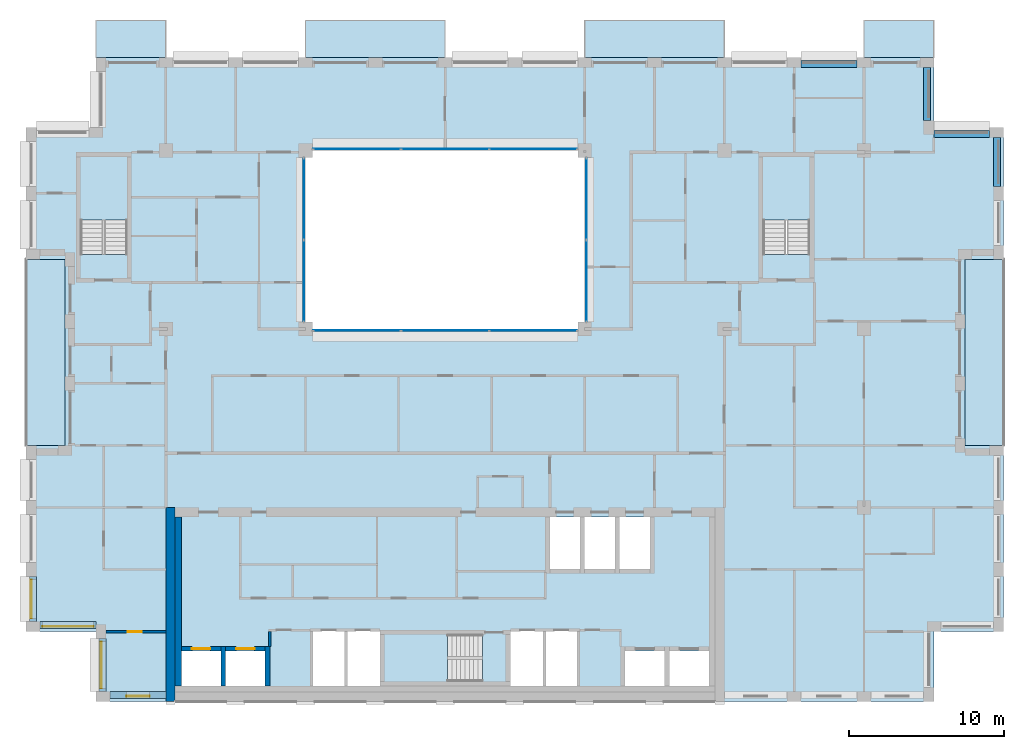
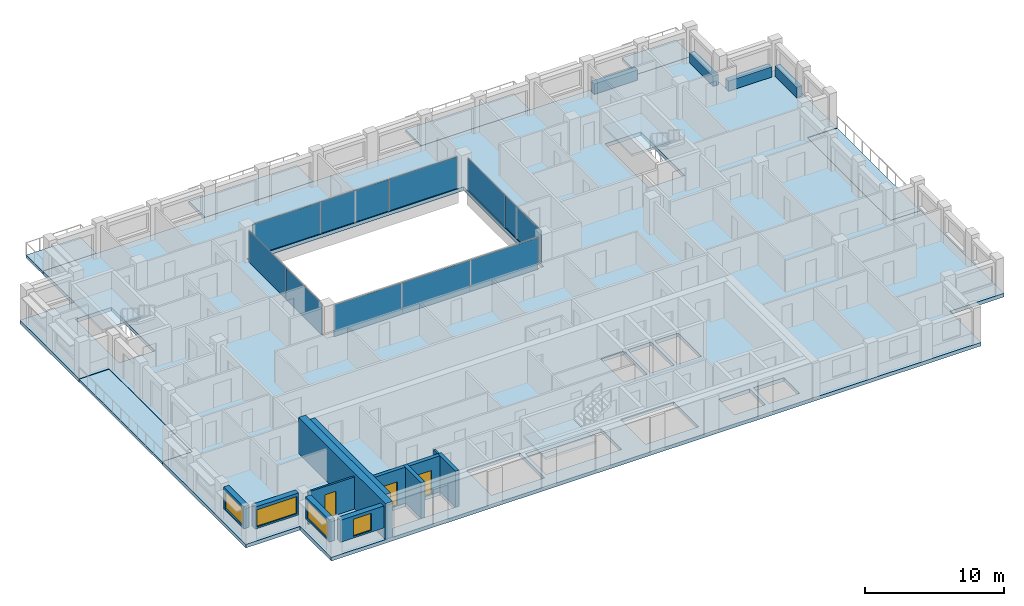
# One storey, part 7 of 16: 12 walls, 10 plates, 10 slabs, 4 beams, 4 windows, 3 doors, 7 openings, 7 elements without a shape of their own.
"""IFC4 building model written with IfcOpenShell, lengths in metres."""

import ifcopenshell
import ifcopenshell.guid

model = None  # the IFC model being written
_history = None  # IfcOwnerHistory: only IFC2X3 demands one
_inside = {}  # id of a spatial element -> (the spatial element, [elements in it])
_under = {}  # id of a project, library or spatial element -> (it, [spatial elements below it])
_declared = {}  # id of a project -> (the project, [libraries it declares])
_typed = {}  # id of a type object -> (the type object, [elements of that type])
_made_of = {}  # id of a material, layer set ... -> (it, [elements and type objects made of it])


def new_model(schema):
    """Start an empty IFC model of exactly this schema.

    Asked for "IFC4X3", IfcOpenShell would pick the latest addendum, in which some entities
    have other attributes; the version numbers below select the first issue.
    IFC2X3 requires an IfcOwnerHistory on every rooted entity: one is made here for all.
    """
    global model, _history
    if schema == "IFC4X3":
        model = ifcopenshell.file(schema_version=(4, 3, 0, 0))
    else:
        model = ifcopenshell.file(schema=schema)
    _inside.clear()
    _under.clear()
    _declared.clear()
    _typed.clear()
    _made_of.clear()
    _history = None
    if model.schema == "IFC2X3":
        org = make("IfcOrganization", Name="unknown")
        user = make(
            "IfcPersonAndOrganization",
            ThePerson=make("IfcPerson", FamilyName="unknown"),
            TheOrganization=org,
        )
        app = make(
            "IfcApplication",
            ApplicationDeveloper=org,
            Version="unknown",
            ApplicationFullName="unknown",
            ApplicationIdentifier="unknown",
        )
        _history = make(
            "IfcOwnerHistory",
            OwningUser=user,
            OwningApplication=app,
            ChangeAction="ADDED",
            CreationDate=0,
        )
    return model


def make(cls, **values):
    """One entity of the class cls with the attributes given. An attribute that is None is left unset."""
    return model.create_entity(
        cls, **{name: value for name, value in values.items() if value is not None}
    )


def rooted(cls, **values):
    """An entity with a GlobalId (a new one), such as an element, a storey or a relation."""
    return make(cls, GlobalId=ifcopenshell.guid.new(), OwnerHistory=_history, **values)


def si_unit(unit_type, name, prefix=None):
    """IfcSIUnit, for example si_unit("LENGTHUNIT", "METRE", prefix="MILLI")."""
    return make("IfcSIUnit", UnitType=unit_type, Prefix=prefix, Name=name)


def assignment(units):
    """IfcUnitAssignment: the units of a project."""
    return None if units is None else make("IfcUnitAssignment", Units=units)


def point(xyz):
    """IfcCartesianPoint."""
    return None if xyz is None else make("IfcCartesianPoint", Coordinates=xyz)


def direction(xyz):
    """IfcDirection."""
    return None if xyz is None else make("IfcDirection", DirectionRatios=xyz)


def frame(location, z_axis=None, x_axis=None):
    """IfcAxis2Placement3D, a coordinate frame: its origin and axes. An axis left out is left unset."""
    return make(
        "IfcAxis2Placement3D",
        Location=point(location),
        Axis=direction(z_axis),
        RefDirection=direction(x_axis),
    )


def frame_2d(location, x_axis=None):
    """IfcAxis2Placement2D, a coordinate frame in the plane: its origin and x axis."""
    return make(
        "IfcAxis2Placement2D", Location=point(location), RefDirection=direction(x_axis)
    )


def origin():
    """The frame at (0, 0, 0) with its axes left unset."""
    return frame((0.0, 0.0, 0.0))


def origin_2d():
    """The frame at (0, 0) in the plane with its x axis left unset."""
    return frame_2d((0.0, 0.0))


def place(relative_to, where):
    """IfcLocalPlacement: puts the frame where relative to a parent placement (None: the world)."""
    return make(
        "IfcLocalPlacement", PlacementRelTo=relative_to, RelativePlacement=where
    )


def context(
    kind, dimensions, precision=None, world=None, true_north=None, identifier=None
):
    """IfcGeometricRepresentationContext, for example the 3D "Model" context."""
    return make(
        "IfcGeometricRepresentationContext",
        ContextIdentifier=identifier,
        ContextType=kind,
        CoordinateSpaceDimension=dimensions,
        Precision=precision,
        WorldCoordinateSystem=world,
        TrueNorth=true_north,
    )


def subcontext(parent, identifier, kind, view, scale=None):
    """IfcGeometricRepresentationSubContext, for example "Body" below "Model"."""
    return make(
        "IfcGeometricRepresentationSubContext",
        ContextIdentifier=identifier,
        ContextType=kind,
        ParentContext=parent,
        TargetScale=scale,
        TargetView=view,
    )


def project(units=None, contexts=None):
    """IfcProject with its units and contexts."""
    return rooted(
        "IfcProject",
        Name="project",
        RepresentationContexts=contexts,
        UnitsInContext=assignment(units),
    )


def spatial(cls, under=None, at=None, **own):
    """A site, building, storey or space (cls), placed at a placement, below another one or the project."""
    s = rooted(cls, ObjectPlacement=at, **own)
    if under is not None:
        _under.setdefault(under.id(), (under, []))[1].append(s)
    return s


def polyline(points):
    """IfcPolyline through the points."""
    return make("IfcPolyline", Points=[point(p) for p in points])


def profile(cls, at=None, kind="AREA", **sizes):
    """A parametric profile (cls). Its sizes go by their IFC names, for example OverallWidth=200.0."""
    return make(cls, ProfileType=kind, Position=at, **sizes)


def rectangle(**sizes):
    """IfcRectangleProfileDef."""
    return profile("IfcRectangleProfileDef", **sizes)


def outline(outer, holes=None, kind="AREA"):
    """IfcArbitraryClosedProfileDef: a profile drawn as a closed curve; with holes, ...WithVoids."""
    if holes is None:
        return make("IfcArbitraryClosedProfileDef", ProfileType=kind, OuterCurve=outer)
    return make(
        "IfcArbitraryProfileDefWithVoids",
        ProfileType=kind,
        OuterCurve=outer,
        InnerCurves=holes,
    )


def extrude(swept, where, along, depth):
    """IfcExtrudedAreaSolid: the profile swept, set in the frame where, extruded along a direction by depth."""
    return make(
        "IfcExtrudedAreaSolid",
        SweptArea=swept,
        Position=where,
        ExtrudedDirection=direction(along),
        Depth=depth,
    )


def shape(context_of_items, identifier, shape_type, items):
    """IfcShapeRepresentation: the items that make up one representation, for example the "Body"."""
    return make(
        "IfcShapeRepresentation",
        ContextOfItems=context_of_items,
        RepresentationIdentifier=identifier,
        RepresentationType=shape_type,
        Items=items,
    )


def material(Name=None, Category=None):
    """IfcMaterial."""
    return make("IfcMaterial", Name=Name, Category=Category)


def layer(
    of_material, thickness, ventilated=None, Name=None, Category=None, Priority=None
):
    """IfcMaterialLayer: one layer of a wall or slab, of a material (None: an air gap)."""
    return make(
        "IfcMaterialLayer",
        Material=of_material,
        LayerThickness=thickness,
        IsVentilated=ventilated,
        Name=Name,
        Category=Category,
        Priority=Priority,
    )


def layer_set(layers, Name=None):
    """IfcMaterialLayerSet."""
    return make("IfcMaterialLayerSet", MaterialLayers=layers, LayerSetName=Name)


def material_profile(
    of_material, cross_section, Name=None, Category=None, Priority=None
):
    """IfcMaterialProfile: a cross section and its material."""
    return make(
        "IfcMaterialProfile",
        Name=Name,
        Material=of_material,
        Profile=cross_section,
        Priority=Priority,
        Category=Category,
    )


def profile_set(profiles, Name=None, composite=None):
    """IfcMaterialProfileSet."""
    return make(
        "IfcMaterialProfileSet",
        Name=Name,
        MaterialProfiles=profiles,
        CompositeProfile=composite,
    )


def made_of(thing, what):
    """Note that an element or type object is made of a material, layer set ...; save() writes the relation."""
    if what is not None:
        _made_of.setdefault(what.id(), (what, []))[1].append(thing)
    return thing


def type_object(cls, material=None, **own):
    """A type object (cls), such as IfcWallType, which elements share."""
    return made_of(rooted(cls, **own), material)


def element(
    cls,
    number,
    at=None,
    inside=None,
    cuts=None,
    type_object=None,
    material=None,
    context=None,
    identifier="Body",
    shape_type=None,
    held_by="IfcProductDefinitionShape",
    body=None,
    shapes=None,
    **own,
):
    """One element of the class cls, such as IfcWall. Its Tag is "e" and its number.

    at: its placement. inside: the storey or other place that contains it. cuts: it is an
    opening in that element (IfcRelVoidsElement). A single representation is given by context,
    identifier, shape_type and body (its items); several are given by shapes. held_by: the class
    of the entity that holds the representations. save() writes the other relations.
    """
    e = rooted(cls, Tag="e%d" % number, ObjectPlacement=at, **own)
    if body is not None:
        shapes = [shape(context, identifier, shape_type, body)]
    if shapes is not None:
        e.Representation = make(held_by, Representations=shapes)
    if inside is not None:
        _inside.setdefault(inside.id(), (inside, []))[1].append(e)
    if cuts is not None:
        rooted(
            "IfcRelVoidsElement", RelatingBuildingElement=cuts, RelatedOpeningElement=e
        )
    if type_object is not None:
        _typed.setdefault(type_object.id(), (type_object, []))[1].append(e)
    return made_of(e, material)


def fill(opening, filler):
    """IfcRelFillsElement: the door or window that sits in an opening."""
    return rooted(
        "IfcRelFillsElement",
        RelatingOpeningElement=opening,
        RelatedBuildingElement=filler,
    )


def aggregate(whole, parts):
    """IfcRelAggregates: a whole, such as a stair, and the parts it consists of."""
    return rooted("IfcRelAggregates", RelatingObject=whole, RelatedObjects=parts)


def save(model, path):
    """Write the relations noted so far, then the file.

    IfcRelAggregates (storeys below a building ...), IfcRelContainedInSpatialStructure (elements
    in a storey), IfcRelDefinesByType, IfcRelAssociatesMaterial and IfcRelDeclares: one each for
    every whole, place, type object, material and project.
    """
    for whole, parts in _under.values():
        aggregate(whole, parts)
    for where, things in _inside.values():
        rooted(
            "IfcRelContainedInSpatialStructure",
            RelatedElements=things,
            RelatingStructure=where,
        )
    for kind, things in _typed.values():
        rooted("IfcRelDefinesByType", RelatedObjects=things, RelatingType=kind)
    for what, things in _made_of.values():
        rooted("IfcRelAssociatesMaterial", RelatedObjects=things, RelatingMaterial=what)
    for by, libraries in _declared.values():
        rooted("IfcRelDeclares", RelatingContext=by, RelatedDefinitions=libraries)
    model.write(path)


model = new_model("IFC4")

# Units and contexts
model_context = context("Model", 3, precision=1e-05, world=origin(), true_north=direction((0.0, 1.0)))
body_context = subcontext(model_context, "Body", "Model", "MODEL_VIEW")
ifc_project = project(units=[si_unit("LENGTHUNIT", "METRE"), si_unit("AREAUNIT", "SQUARE_METRE"), si_unit("VOLUMEUNIT", "CUBIC_METRE"), si_unit("PLANEANGLEUNIT", "RADIAN"), si_unit("MASSUNIT", "GRAM", prefix="KILO")], contexts=[model_context])

# Site, building, storey
site_placement = place(None, origin())
site = spatial("IfcSite", under=ifc_project, at=site_placement, CompositionType="ELEMENT")
building_placement = place(site_placement, origin())
building = spatial("IfcBuilding", under=site, at=building_placement, Name="Brigalow Station Residences", CompositionType="ELEMENT")
storey_placement = place(building_placement, frame((0.0, 0.0, 204.300048828125)))
storey = spatial("IfcBuildingStorey", under=building, at=storey_placement, Name="L58", CompositionType="ELEMENT", Elevation=204.300048828125)

# Beams
ifc_material_1 = material(Name="Concrete C50", Category="concrete")
ifc_material_profile = material_profile(ifc_material_1, rectangle(XDim=0.449951171875, YDim=0.89990234375, at=origin_2d()), Name="RC450x900")
ifc_profile_set = profile_set([ifc_material_profile], Name="Concrete C50")
beam_type = type_object("IfcBeamType", Name="SPANDREL BEAM 450x900 C50", PredefinedType="SPANDREL", material=ifc_profile_set)
beam_1_placement = place(storey_placement, frame((71.574951171875, 33.199951171875, 0.449951171875), z_axis=(0.0, 1.0, 0.0), x_axis=(-1.0, 0.0, 0.0)))
element("IfcBeam", 1, at=beam_1_placement, inside=storey, type_object=beam_type, Name="L58/spandrel/W-L58-17", PredefinedType="SPANDREL", context=body_context, shape_type="SweptSolid", body=[
    extrude(rectangle(XDim=0.449951171875, YDim=0.89990234375, at=origin_2d()), origin(), (0.0, 0.0, 1.0), 3.150146484375),
])
beam_2_placement = place(storey_placement, frame((71.10009765625, 36.574951171875, 0.449951171875), z_axis=(-1.0, 0.0, 0.0), x_axis=(0.0, -1.0, 0.0)))
element("IfcBeam", 2, at=beam_2_placement, inside=storey, type_object=beam_type, Name="L58/spandrel/W-L58-18", PredefinedType="SPANDREL", context=body_context, shape_type="SweptSolid", body=[
    extrude(rectangle(XDim=0.449951171875, YDim=0.89990234375, at=origin_2d()), origin(), (0.0, 0.0, 1.0), 3.60009765625),
])
beam_3_placement = place(storey_placement, frame((67.074951171875, 37.449951171875, 0.449951171875), z_axis=(0.0, 1.0, 0.0), x_axis=(-1.0, 0.0, 0.0)))
element("IfcBeam", 3, at=beam_3_placement, inside=storey, type_object=beam_type, Name="L58/spandrel/W-L58-19", PredefinedType="SPANDREL", context=body_context, shape_type="SweptSolid", body=[
    extrude(rectangle(XDim=0.449951171875, YDim=0.89990234375, at=origin_2d()), origin(), (0.0, 0.0, 1.0), 3.400146484375),
])
beam_4_placement = place(storey_placement, frame((62.550048828125, 41.074951171875, 0.449951171875), z_axis=(-1.0, 0.0, 0.0), x_axis=(0.0, -1.0, 0.0)))
element("IfcBeam", 4, at=beam_4_placement, inside=storey, type_object=beam_type, Name="L58/spandrel/W-L58-21", PredefinedType="SPANDREL", context=body_context, shape_type="SweptSolid", body=[
    extrude(rectangle(XDim=0.449951171875, YDim=0.89990234375, at=origin_2d()), origin(), (0.0, 0.0, 1.0), 3.60009765625),
])

# Curtain wall, plates
ifc_material_2 = material(Name="Aluminium", Category="aluminium")
ifc_layer_1 = layer(ifc_material_2, 0.14990234375)
ifc_layer_set_1 = layer_set([ifc_layer_1], Name="ATRIUM FIRE-RATED GLAZING CURTAIN WALL")
curtain_wall_type = type_object("IfcCurtainWallType", Name="ATRIUM FIRE-RATED GLAZING CURTAIN WALL", PredefinedType="NOTDEFINED", material=ifc_layer_set_1)
curtain_wall_1_placement = place(storey_placement, origin())
curtain_wall_1 = element("IfcCurtainWall", 5, at=curtain_wall_1_placement, inside=storey, type_object=curtain_wall_type, Name="L58/cw/atrium-S", PredefinedType="NOTDEFINED")
ifc_material_3 = material(Name="Fire-resisting laminated glazing, FRL -/60/-", Category="glass")
ifc_layer_2 = layer(ifc_material_3, 0.031982421875)
ifc_layer_set_2 = layer_set([ifc_layer_2], Name="ATRIUM FIRE-RATED GLAZING PANEL 32")
plate_type = type_object("IfcPlateType", Name="ATRIUM FIRE-RATED GLAZING PANEL 32", PredefinedType="CURTAIN_PANEL", material=ifc_layer_set_2)
plate_1_placement = place(storey_placement, frame((30.31494140625, 23.89990234375, 0.0), z_axis=(0.0, 0.0, 1.0), x_axis=(1.0, 0.0, 0.0)))
plate_1 = element("IfcPlate", 6, at=plate_1_placement, type_object=plate_type, Name="L58/cw/atrium-S/P00-00", PredefinedType="CURTAIN_PANEL", context=body_context, shape_type="SweptSolid", body=[
    extrude(rectangle(XDim=5.610107421875, YDim=0.031982421875, at=origin_2d()), origin(), (0.0, 0.0, 1.0), 2.77001953125),
])
plate_2_placement = place(storey_placement, frame((36.0, 23.89990234375, 0.0), z_axis=(0.0, 0.0, 1.0), x_axis=(1.0, 0.0, 0.0)))
plate_2 = element("IfcPlate", 7, at=plate_2_placement, type_object=plate_type, Name="L58/cw/atrium-S/P01-00", PredefinedType="CURTAIN_PANEL", context=body_context, shape_type="SweptSolid", body=[
    extrude(rectangle(XDim=5.639892578125, YDim=0.031982421875, at=origin_2d()), origin(), (0.0, 0.0, 1.0), 2.77001953125),
])
plate_3_placement = place(storey_placement, frame((41.68505859375, 23.89990234375, 0.0), z_axis=(0.0, 0.0, 1.0), x_axis=(1.0, 0.0, 0.0)))
plate_3 = element("IfcPlate", 8, at=plate_3_placement, type_object=plate_type, Name="L58/cw/atrium-S/P02-00", PredefinedType="CURTAIN_PANEL", context=body_context, shape_type="SweptSolid", body=[
    extrude(rectangle(XDim=5.610107421875, YDim=0.031982421875, at=origin_2d()), origin(), (0.0, 0.0, 1.0), 2.77001953125),
])
aggregate(curtain_wall_1, [plate_1, plate_2, plate_3])

curtain_wall_2_placement = place(storey_placement, origin())
curtain_wall_2 = element("IfcCurtainWall", 9, at=curtain_wall_2_placement, inside=storey, type_object=curtain_wall_type, Name="L58/cw/atrium-E", PredefinedType="NOTDEFINED")
plate_4_placement = place(storey_placement, frame((45.10009765625, 27.114990234375, 0.0), z_axis=(0.0, 0.0, 1.0), x_axis=(0.0, 1.0, 0.0)))
plate_4 = element("IfcPlate", 10, at=plate_4_placement, type_object=plate_type, Name="L58/cw/atrium-E/P00-00", PredefinedType="CURTAIN_PANEL", context=body_context, shape_type="SweptSolid", body=[
    extrude(rectangle(XDim=5.2099609375, YDim=0.031982421875, at=origin_2d()), origin(), (0.0, 0.0, 1.0), 2.77001953125),
])
plate_5_placement = place(storey_placement, frame((45.10009765625, 32.385009765625, 0.0), z_axis=(0.0, 0.0, 1.0), x_axis=(0.0, 1.0, 0.0)))
plate_5 = element("IfcPlate", 11, at=plate_5_placement, type_object=plate_type, Name="L58/cw/atrium-E/P01-00", PredefinedType="CURTAIN_PANEL", context=body_context, shape_type="SweptSolid", body=[
    extrude(rectangle(XDim=5.2099609375, YDim=0.031982421875, at=origin_2d()), origin(), (0.0, 0.0, 1.0), 2.77001953125),
])
aggregate(curtain_wall_2, [plate_4, plate_5])

curtain_wall_3_placement = place(storey_placement, origin())
curtain_wall_3 = element("IfcCurtainWall", 12, at=curtain_wall_3_placement, inside=storey, type_object=curtain_wall_type, Name="L58/cw/atrium-N", PredefinedType="NOTDEFINED")
plate_6_placement = place(storey_placement, frame((41.68505859375, 35.60009765625, 0.0), z_axis=(0.0, 0.0, 1.0), x_axis=(-1.0, 0.0, 0.0)))
plate_6 = element("IfcPlate", 13, at=plate_6_placement, type_object=plate_type, Name="L58/cw/atrium-N/P00-00", PredefinedType="CURTAIN_PANEL", context=body_context, shape_type="SweptSolid", body=[
    extrude(rectangle(XDim=5.610107421875, YDim=0.031982421875, at=origin_2d()), origin(), (0.0, 0.0, 1.0), 2.77001953125),
])
plate_7_placement = place(storey_placement, frame((36.0, 35.60009765625, 0.0), z_axis=(0.0, 0.0, 1.0), x_axis=(-1.0, 0.0, 0.0)))
plate_7 = element("IfcPlate", 14, at=plate_7_placement, type_object=plate_type, Name="L58/cw/atrium-N/P01-00", PredefinedType="CURTAIN_PANEL", context=body_context, shape_type="SweptSolid", body=[
    extrude(rectangle(XDim=5.639892578125, YDim=0.031982421875, at=origin_2d()), origin(), (0.0, 0.0, 1.0), 2.77001953125),
])
plate_8_placement = place(storey_placement, frame((30.31494140625, 35.60009765625, 0.0), z_axis=(0.0, 0.0, 1.0), x_axis=(-1.0, 0.0, 0.0)))
plate_8 = element("IfcPlate", 15, at=plate_8_placement, type_object=plate_type, Name="L58/cw/atrium-N/P02-00", PredefinedType="CURTAIN_PANEL", context=body_context, shape_type="SweptSolid", body=[
    extrude(rectangle(XDim=5.610107421875, YDim=0.031982421875, at=origin_2d()), origin(), (0.0, 0.0, 1.0), 2.77001953125),
])
aggregate(curtain_wall_3, [plate_6, plate_7, plate_8])

curtain_wall_4_placement = place(storey_placement, origin())
curtain_wall_4 = element("IfcCurtainWall", 16, at=curtain_wall_4_placement, inside=storey, type_object=curtain_wall_type, Name="L58/cw/atrium-W", PredefinedType="NOTDEFINED")
plate_9_placement = place(storey_placement, frame((26.89990234375, 32.385009765625, 0.0), z_axis=(0.0, 0.0, 1.0), x_axis=(0.0, -1.0, 0.0)))
plate_9 = element("IfcPlate", 17, at=plate_9_placement, type_object=plate_type, Name="L58/cw/atrium-W/P00-00", PredefinedType="CURTAIN_PANEL", context=body_context, shape_type="SweptSolid", body=[
    extrude(rectangle(XDim=5.2099609375, YDim=0.031982421875, at=origin_2d()), origin(), (0.0, 0.0, 1.0), 2.77001953125),
])
plate_10_placement = place(storey_placement, frame((26.89990234375, 27.114990234375, 0.0), z_axis=(0.0, 0.0, 1.0), x_axis=(0.0, -1.0, 0.0)))
plate_10 = element("IfcPlate", 18, at=plate_10_placement, type_object=plate_type, Name="L58/cw/atrium-W/P01-00", PredefinedType="CURTAIN_PANEL", context=body_context, shape_type="SweptSolid", body=[
    extrude(rectangle(XDim=5.2099609375, YDim=0.031982421875, at=origin_2d()), origin(), (0.0, 0.0, 1.0), 2.77001953125),
])
aggregate(curtain_wall_4, [plate_9, plate_10])

# Slabs
ifc_material_4 = material(Name="Concrete C50 precast", Category="concrete")
ifc_layer_3 = layer(ifc_material_4, 0.25)
ifc_layer_set_3 = layer_set([ifc_layer_3], Name="BALCONY SLAB 250")
slab_type_1 = type_object("IfcSlabType", Name="BALCONY SLAB 250", PredefinedType="USERDEFINED", material=ifc_layer_set_3)
slab_1_placement = place(storey_placement, frame((0.0, 0.0, -0.2900390625)))
element("IfcSlab", 19, at=slab_1_placement, inside=storey, type_object=slab_type_1, Name="L58/balcony/1", ObjectType="BALCONY", PredefinedType="USERDEFINED", context=body_context, shape_type="SweptSolid", body=[
    extrude(outline(polyline([(69.5, 16.5), (72.0, 16.5), (72.0, 28.5), (69.5, 28.5), (69.5, 16.5)])), origin(), (0.0, 0.0, 1.0), 0.25),
])
slab_2_placement = place(storey_placement, frame((0.0, 0.0, -0.2900390625)))
element("IfcSlab", 20, at=slab_2_placement, inside=storey, type_object=slab_type_1, Name="L58/balcony/2", ObjectType="BALCONY", PredefinedType="USERDEFINED", context=body_context, shape_type="SweptSolid", body=[
    extrude(outline(polyline([(67.5, 41.5), (67.5, 43.89990234375), (63.0, 43.89990234375), (63.0, 41.5), (67.5, 41.5)])), origin(), (0.0, 0.0, 1.0), 0.25),
])
slab_3_placement = place(storey_placement, frame((0.0, 0.0, -0.2900390625)))
element("IfcSlab", 21, at=slab_3_placement, inside=storey, type_object=slab_type_1, Name="L58/balcony/3", ObjectType="BALCONY", PredefinedType="USERDEFINED", context=body_context, shape_type="SweptSolid", body=[
    extrude(outline(polyline([(54.0, 41.5), (54.0, 43.89990234375), (45.0, 43.89990234375), (45.0, 41.5), (54.0, 41.5)])), origin(), (0.0, 0.0, 1.0), 0.25),
])
slab_4_placement = place(storey_placement, frame((0.0, 0.0, -0.2900390625)))
element("IfcSlab", 22, at=slab_4_placement, inside=storey, type_object=slab_type_1, Name="L58/balcony/4", ObjectType="BALCONY", PredefinedType="USERDEFINED", context=body_context, shape_type="SweptSolid", body=[
    extrude(outline(polyline([(36.0, 41.5), (36.0, 43.89990234375), (27.0, 43.89990234375), (27.0, 41.5), (36.0, 41.5)])), origin(), (0.0, 0.0, 1.0), 0.25),
])
slab_5_placement = place(storey_placement, frame((0.0, 0.0, -0.2900390625)))
element("IfcSlab", 23, at=slab_5_placement, inside=storey, type_object=slab_type_1, Name="L58/balcony/5", ObjectType="BALCONY", PredefinedType="USERDEFINED", context=body_context, shape_type="SweptSolid", body=[
    extrude(outline(polyline([(18.0, 41.5), (18.0, 43.89990234375), (13.5, 43.89990234375), (13.5, 41.5), (18.0, 41.5)])), origin(), (0.0, 0.0, 1.0), 0.25),
])
slab_6_placement = place(storey_placement, frame((0.0, 0.0, -0.2900390625)))
element("IfcSlab", 24, at=slab_6_placement, inside=storey, type_object=slab_type_1, Name="L58/balcony/6", ObjectType="BALCONY", PredefinedType="USERDEFINED", context=body_context, shape_type="SweptSolid", body=[
    extrude(outline(polyline([(11.5, 28.5), (9.0, 28.5), (9.0, 16.5), (11.5, 16.5), (11.5, 28.5)])), origin(), (0.0, 0.0, 1.0), 0.25),
])
ifc_material_5 = material(Name="Concrete C50", Category="concrete")
ifc_layer_4 = layer(ifc_material_5, 0.320068359375)
ifc_layer_set_4 = layer_set([ifc_layer_4], Name="POST-TENSIONED FLAT PLATE 320 C50")
slab_type_2 = type_object("IfcSlabType", Name="POST-TENSIONED FLAT PLATE 320 C50", PredefinedType="FLOOR", material=ifc_layer_set_4)
slab_7_placement = place(storey_placement, frame((0.0, 0.0, -0.320068359375)))
element("IfcSlab", 25, at=slab_7_placement, inside=storey, type_object=slab_type_2, Name="FLOOR SLAB L58", PredefinedType="FLOOR", context=body_context, shape_type="SweptSolid", body=[
    extrude(outline(polyline([(13.5, 0.0), (67.5, 0.0), (67.5, 4.5), (72.0, 4.5), (72.0, 16.5), (69.5, 16.5), (69.5, 28.5), (72.0, 28.5), (72.0, 37.0), (67.5, 37.0), (67.5, 41.5), (13.5, 41.5), (13.5, 37.0), (9.0, 37.0), (9.0, 28.5), (11.5, 28.5), (11.5, 16.5), (9.0, 16.5), (9.0, 4.5), (13.5, 4.5), (13.5, 0.0)]), holes=[polyline([(12.5048828125, 35.094970703125), (15.4951171875, 35.094970703125), (15.4951171875, 28.804931640625), (12.5048828125, 28.804931640625), (12.5048828125, 35.094970703125)]), polyline([(19.0, 1.0), (19.0, 3.25), (21.550048828125, 3.25), (21.550048828125, 1.0), (19.0, 1.0)]), polyline([(21.85009765625, 3.25), (24.39990234375, 3.25), (24.39990234375, 1.0), (21.85009765625, 1.0), (21.85009765625, 3.25)]), polyline([(27.0, 35.5), (45.0, 35.5), (45.0, 24.0), (27.0, 24.0), (27.0, 35.5)]), polyline([(29.60009765625, 4.60009765625), (31.800048828125, 4.60009765625), (31.800048828125, 1.0), (29.60009765625, 1.0), (27.39990234375, 1.0), (27.39990234375, 4.60009765625), (29.60009765625, 4.60009765625)]), polyline([(32.10498046875, 4.294921875), (38.39501953125, 4.294921875), (38.39501953125, 1.304931640625), (32.10498046875, 1.304931640625), (32.10498046875, 4.294921875)]), polyline([(40.199951171875, 4.60009765625), (42.39990234375, 4.60009765625), (44.60009765625, 4.60009765625), (44.60009765625, 1.0), (42.39990234375, 1.0), (40.199951171875, 1.0), (40.199951171875, 4.60009765625)]), polyline([(42.75, 11.89990234375), (44.699951171875, 11.89990234375), (44.699951171875, 8.550048828125), (42.75, 8.550048828125), (42.75, 11.89990234375)]), polyline([(45.0, 11.89990234375), (46.949951171875, 11.89990234375), (46.949951171875, 8.550048828125), (45.0, 8.550048828125), (45.0, 11.89990234375)]), polyline([(47.25, 11.89990234375), (49.199951171875, 11.89990234375), (49.199951171875, 8.550048828125), (47.25, 8.550048828125), (47.25, 11.89990234375)]), polyline([(47.60009765625, 3.25), (50.14990234375, 3.25), (50.14990234375, 1.0), (47.60009765625, 1.0), (47.60009765625, 3.25)]), polyline([(50.449951171875, 3.25), (53.0, 3.25), (53.0, 1.0), (50.449951171875, 1.0), (50.449951171875, 3.25)]), polyline([(56.5048828125, 35.094970703125), (59.4951171875, 35.094970703125), (59.4951171875, 28.804931640625), (56.5048828125, 28.804931640625), (56.5048828125, 35.094970703125)])]), origin(), (0.0, 0.0, 1.0), 0.320068359375),
])

# Stair, slab
ifc_material_6 = material(Name="Concrete C50", Category="concrete")
stair_type = type_object("IfcStairType", Name="EXIT STAIR 1400 2 FLIGHT", PredefinedType="HALF_TURN_STAIR", material=ifc_material_6)
stair_1_placement = place(storey_placement, origin())
stair_1 = element("IfcStair", 26, at=stair_1_placement, inside=storey, type_object=stair_type, Name="EXIT STAIR S2 L58", PredefinedType="HALF_TURN_STAIR")
ifc_material_7 = material(Name="Concrete C50", Category="concrete")
ifc_layer_5 = layer(ifc_material_7, 0.199951171875)
ifc_layer_set_5 = layer_set([ifc_layer_5], Name="STAIR LANDING 200")
slab_type_3 = type_object("IfcSlabType", Name="STAIR LANDING 200", PredefinedType="LANDING", material=ifc_layer_set_5)
slab_8_placement = place(storey_placement, frame((0.0, 0.0, 1.375)))
slab_8 = element("IfcSlab", 27, at=slab_8_placement, type_object=slab_type_3, Name="ST-2 landing 1", PredefinedType="LANDING", context=body_context, shape_type="SweptSolid", body=[
    extrude(outline(polyline([(32.0, 1.199951171875), (36.159912109375, 1.199951171875), (36.159912109375, 4.39990234375), (32.0, 4.39990234375), (32.0, 1.199951171875)])), origin(), (0.0, 0.0, 1.0), 0.199951171875),
])
aggregate(stair_1, [slab_8])

stair_2_placement = place(storey_placement, origin())
stair_2 = element("IfcStair", 28, at=stair_2_placement, inside=storey, type_object=stair_type, Name="EXIT STAIR S1 L58", PredefinedType="HALF_TURN_STAIR")
slab_9_placement = place(storey_placement, frame((0.0, 0.0, 1.375)))
slab_9 = element("IfcSlab", 29, at=slab_9_placement, type_object=slab_type_3, Name="ST-1 landing 1", PredefinedType="LANDING", context=body_context, shape_type="SweptSolid", body=[
    extrude(outline(polyline([(12.39990234375, 31.0400390625), (15.60009765625, 31.0400390625), (15.60009765625, 35.199951171875), (12.39990234375, 35.199951171875), (12.39990234375, 31.0400390625)])), origin(), (0.0, 0.0, 1.0), 0.199951171875),
])
aggregate(stair_2, [slab_9])

stair_3_placement = place(storey_placement, origin())
stair_3 = element("IfcStair", 30, at=stair_3_placement, inside=storey, type_object=stair_type, Name="EXIT STAIR S3 L58", PredefinedType="HALF_TURN_STAIR")
slab_10_placement = place(storey_placement, frame((0.0, 0.0, 1.375)))
slab_10 = element("IfcSlab", 31, at=slab_10_placement, type_object=slab_type_3, Name="ST-3 landing 1", PredefinedType="LANDING", context=body_context, shape_type="SweptSolid", body=[
    extrude(outline(polyline([(56.39990234375, 31.0400390625), (59.60009765625, 31.0400390625), (59.60009765625, 35.199951171875), (56.39990234375, 35.199951171875), (56.39990234375, 31.0400390625)])), origin(), (0.0, 0.0, 1.0), 0.199951171875),
])
aggregate(stair_3, [slab_10])

# Wall, opening, window
ifc_material_8 = material(Name="Clay brick masonry", Category="masonry")
ifc_layer_6 = layer(ifc_material_8, 0.449951171875)
ifc_layer_set_6 = layer_set([ifc_layer_6], Name="BRICK INFILL WALL 450")
wall_type_1 = type_object("IfcWallType", Name="BRICK INFILL WALL 450", PredefinedType="SOLIDWALL", material=ifc_layer_set_6)
wall_1_placement = place(storey_placement, frame((14.39990234375, 0.425048828125, 0.89990234375), z_axis=(0.0, 0.0, 1.0), x_axis=(1.0, 0.0, 0.0)))
wall_1 = element("IfcWall", 32, at=wall_1_placement, inside=storey, type_object=wall_type_1, Name="L58/ewall/W-L58-1", PredefinedType="SOLIDWALL", context=body_context, shape_type="SweptSolid", body=[
    extrude(rectangle(XDim=3.60009765625, YDim=0.449951171875, at=frame_2d((1.800048828125, 0.0))), origin(), (0.0, 0.0, 1.0), 1.929931640625),
])
opening_1_placement = place(wall_1_placement, frame((1.050048828125, 0.0, 0.14990234375)))
opening_1 = element("IfcOpeningElement", 33, at=opening_1_placement, cuts=wall_1, Name="Opening WT-1", PredefinedType="OPENING", context=body_context, shape_type="SweptSolid", body=[
    extrude(rectangle(XDim=1.5, YDim=1.5, at=frame_2d((0.75, 0.75))), frame((0.0, 0.23486328125, 0.0), z_axis=(0.0, -1.0, 0.0), x_axis=(1.0, 0.0, 0.0)), (0.0, 0.0, 1.0), 0.469970703125),
])
ifc_material_9 = material(Name="Anodised aluminium frame with double glazing", Category="aluminium")
window_type_1 = type_object("IfcWindowType", Name="WINDOW 1500x1500", PartitioningType="SINGLE_PANEL", PredefinedType="WINDOW", material=ifc_material_9)
window_1_placement = place(opening_1_placement, origin())
window_1 = element("IfcWindow", 34, at=window_1_placement, inside=storey, type_object=window_type_1, Name="L58/window/W-L58-1", OverallHeight=1.5, OverallWidth=1.5, PartitioningType="SINGLE_PANEL", PredefinedType="WINDOW", context=body_context, shape_type="SweptSolid", body=[
    extrude(rectangle(XDim=1.5, YDim=1.5, at=frame_2d((0.75, 0.75))), frame((0.0, -0.06494140625, 0.0), z_axis=(0.0, -1.0, 0.0), x_axis=(1.0, 0.0, 0.0)), (0.0, 0.0, 1.0), 0.06005859375),
])
fill(opening_1, window_1)

wall_2_placement = place(storey_placement, frame((9.425048828125, 8.050048828125, 0.89990234375), z_axis=(0.0, 0.0, 1.0), x_axis=(0.0, -1.0, 0.0)))
wall_2 = element("IfcWall", 35, at=wall_2_placement, inside=storey, type_object=wall_type_1, Name="L58/ewall/W-L58-43", PredefinedType="SOLIDWALL", context=body_context, shape_type="SweptSolid", body=[
    extrude(rectangle(XDim=2.900146484375, YDim=0.449951171875, at=frame_2d((1.4501953125, 0.0))), origin(), (0.0, 0.0, 1.0), 1.929931640625),
])
opening_2_placement = place(wall_2_placement, frame((0.199951171875, 0.0, 0.14990234375)))
opening_2 = element("IfcOpeningElement", 36, at=opening_2_placement, cuts=wall_2, Name="Opening WT-5", PredefinedType="OPENING", context=body_context, shape_type="SweptSolid", body=[
    extrude(rectangle(XDim=2.5, YDim=1.5, at=frame_2d((1.25, 0.75))), frame((0.0, 0.23486328125, 0.0), z_axis=(0.0, -1.0, 0.0), x_axis=(1.0, 0.0, 0.0)), (0.0, 0.0, 1.0), 0.469970703125),
])
ifc_material_10 = material(Name="Anodised aluminium frame with double glazing", Category="aluminium")
window_type_2 = type_object("IfcWindowType", Name="WINDOW 2500x1500", PartitioningType="SINGLE_PANEL", PredefinedType="WINDOW", material=ifc_material_10)
window_2_placement = place(opening_2_placement, origin())
window_2 = element("IfcWindow", 37, at=window_2_placement, inside=storey, type_object=window_type_2, Name="L58/window/W-L58-43", OverallHeight=1.5, OverallWidth=2.5, PartitioningType="SINGLE_PANEL", PredefinedType="WINDOW", context=body_context, shape_type="SweptSolid", body=[
    extrude(rectangle(XDim=2.5, YDim=1.5, at=frame_2d((1.25, 0.75))), frame((0.0, -0.06494140625, 0.0), z_axis=(0.0, -1.0, 0.0), x_axis=(1.0, 0.0, 0.0)), (0.0, 0.0, 1.0), 0.06005859375),
])
fill(opening_2, window_2)

wall_3_placement = place(storey_placement, frame((9.89990234375, 4.925048828125, 0.89990234375), z_axis=(0.0, 0.0, 1.0), x_axis=(1.0, 0.0, 0.0)))
wall_3 = element("IfcWall", 38, at=wall_3_placement, inside=storey, type_object=wall_type_1, Name="L58/ewall/W-L58-44", PredefinedType="SOLIDWALL", context=body_context, shape_type="SweptSolid", body=[
    extrude(rectangle(XDim=3.60009765625, YDim=0.449951171875, at=frame_2d((1.800048828125, 0.0))), origin(), (0.0, 0.0, 1.0), 1.929931640625),
])
opening_3_placement = place(wall_3_placement, frame((0.14990234375, 0.0, 0.14990234375)))
opening_3 = element("IfcOpeningElement", 39, at=opening_3_placement, cuts=wall_3, Name="Opening WT-10", PredefinedType="OPENING", context=body_context, shape_type="SweptSolid", body=[
    extrude(rectangle(XDim=3.300048828125, YDim=1.5, at=frame_2d((1.64990234375, 0.75))), frame((0.0, 0.23486328125, 0.0), z_axis=(0.0, -1.0, 0.0), x_axis=(1.0, 0.0, 0.0)), (0.0, 0.0, 1.0), 0.469970703125),
])
ifc_material_11 = material(Name="Anodised aluminium frame with double glazing", Category="aluminium")
window_type_3 = type_object("IfcWindowType", Name="WINDOW 3300x1500", PartitioningType="SINGLE_PANEL", PredefinedType="WINDOW", material=ifc_material_11)
window_3_placement = place(opening_3_placement, origin())
window_3 = element("IfcWindow", 40, at=window_3_placement, inside=storey, type_object=window_type_3, Name="L58/window/W-L58-44", OverallHeight=1.5, OverallWidth=3.300048828125, PartitioningType="SINGLE_PANEL", PredefinedType="WINDOW", context=body_context, shape_type="SweptSolid", body=[
    extrude(rectangle(XDim=3.300048828125, YDim=1.5, at=frame_2d((1.64990234375, 0.75))), frame((0.0, -0.06494140625, 0.0), z_axis=(0.0, -1.0, 0.0), x_axis=(1.0, 0.0, 0.0)), (0.0, 0.0, 1.0), 0.06005859375),
])
fill(opening_3, window_3)

wall_4_placement = place(storey_placement, frame((13.925048828125, 4.050048828125, 0.89990234375), z_axis=(0.0, 0.0, 1.0), x_axis=(0.0, -1.0, 0.0)))
wall_4 = element("IfcWall", 41, at=wall_4_placement, inside=storey, type_object=wall_type_1, Name="L58/ewall/W-L58-45", PredefinedType="SOLIDWALL", context=body_context, shape_type="SweptSolid", body=[
    extrude(rectangle(XDim=3.400146484375, YDim=0.449951171875, at=frame_2d((1.7001953125, 0.0))), origin(), (0.0, 0.0, 1.0), 1.929931640625),
])
opening_4_placement = place(wall_4_placement, frame((0.199951171875, 0.0, 0.14990234375)))
opening_4 = element("IfcOpeningElement", 42, at=opening_4_placement, cuts=wall_4, Name="Opening WT-2", PredefinedType="OPENING", context=body_context, shape_type="SweptSolid", body=[
    extrude(rectangle(XDim=3.0, YDim=1.5, at=frame_2d((1.5, 0.75))), frame((0.0, 0.23486328125, 0.0), z_axis=(0.0, -1.0, 0.0), x_axis=(1.0, 0.0, 0.0)), (0.0, 0.0, 1.0), 0.469970703125),
])
ifc_material_12 = material(Name="Anodised aluminium frame with double glazing", Category="aluminium")
window_type_4 = type_object("IfcWindowType", Name="WINDOW 3000x1500", PartitioningType="SINGLE_PANEL", PredefinedType="WINDOW", material=ifc_material_12)
window_4_placement = place(opening_4_placement, origin())
window_4 = element("IfcWindow", 43, at=window_4_placement, inside=storey, type_object=window_type_4, Name="L58/window/W-L58-45", OverallHeight=1.5, OverallWidth=3.0, PartitioningType="SINGLE_PANEL", PredefinedType="WINDOW", context=body_context, shape_type="SweptSolid", body=[
    extrude(rectangle(XDim=3.0, YDim=1.5, at=frame_2d((1.5, 0.75))), frame((0.0, -0.06494140625, 0.0), z_axis=(0.0, -1.0, 0.0), x_axis=(1.0, 0.0, 0.0)), (0.0, 0.0, 1.0), 0.06005859375),
])
fill(opening_4, window_4)

# Wall, opening, door
ifc_material_13 = material(Name="Concrete C50", Category="concrete")
ifc_layer_7 = layer(ifc_material_13, 0.300048828125)
ifc_layer_set_7 = layer_set([ifc_layer_7], Name="CORE SHEAR WALL 300 C50")
wall_type_2 = type_object("IfcWallType", Name="CORE SHEAR WALL 300 C50", PredefinedType="SHEAR", material=ifc_layer_set_7)
wall_5_placement = place(storey_placement, frame((19.0, 3.39990234375, 0.0), z_axis=(0.0, 0.0, 1.0), x_axis=(1.0, 0.0, 0.0)))
wall_5 = element("IfcWall", 44, at=wall_5_placement, inside=storey, type_object=wall_type_2, Name="CORE WALL SH-C1-N L58", PredefinedType="SHEAR", context=body_context, shape_type="SweptSolid", body=[
    extrude(rectangle(XDim=2.550048828125, YDim=0.300048828125, at=frame_2d((1.27490234375, 0.0))), origin(), (0.0, 0.0, 1.0), 3.14990234375),
])
opening_5_placement = place(wall_5_placement, frame((0.675048828125, 0.0, 0.0)))
opening_5 = element("IfcOpeningElement", 45, at=opening_5_placement, cuts=wall_5, Name="Opening LD-LB1", PredefinedType="OPENING", context=body_context, shape_type="SweptSolid", body=[
    extrude(rectangle(XDim=1.199951171875, YDim=2.10009765625, at=frame_2d((0.60009765625, 1.050048828125))), frame((0.0, 0.16015625, 0.0), z_axis=(0.0, -1.0, 0.0), x_axis=(1.0, 0.0, 0.0)), (0.0, 0.0, 1.0), 0.320068359375),
])
ifc_material_14 = material(Name="Stainless steel sliding door leaves", Category="steel")
door_type_1 = type_object("IfcDoorType", Name="LIFT LANDING DOOR 1200 x 2100", OperationType="DOUBLE_DOOR_SLIDING", PredefinedType="DOOR", material=ifc_material_14)
door_1_placement = place(opening_5_placement, origin())
door_1 = element("IfcDoor", 46, at=door_1_placement, inside=storey, type_object=door_type_1, Name="LANDING DOOR LB1", OperationType="DOUBLE_DOOR_SLIDING", OverallHeight=2.10009765625, OverallWidth=1.199951171875, PredefinedType="DOOR", context=body_context, shape_type="SweptSolid", body=[
    extrude(rectangle(XDim=1.199951171875, YDim=2.10009765625, at=frame_2d((0.60009765625, 1.050048828125))), frame((0.0, 0.02490234375, 0.0), z_axis=(0.0, -1.0, 0.0), x_axis=(1.0, 0.0, 0.0)), (0.0, 0.0, 1.0), 0.050048828125),
])
fill(opening_5, door_1)

wall_6_placement = place(storey_placement, frame((21.85009765625, 3.39990234375, 0.0), z_axis=(0.0, 0.0, 1.0), x_axis=(1.0, 0.0, 0.0)))
wall_6 = element("IfcWall", 47, at=wall_6_placement, inside=storey, type_object=wall_type_2, Name="CORE WALL SH-C2-N L58", PredefinedType="SHEAR", context=body_context, shape_type="SweptSolid", body=[
    extrude(rectangle(XDim=2.5498046875, YDim=0.300048828125, at=frame_2d((1.27490234375, 0.0))), origin(), (0.0, 0.0, 1.0), 3.14990234375),
])
opening_6_placement = place(wall_6_placement, frame((0.675048828125, 0.0, 0.0)))
opening_6 = element("IfcOpeningElement", 48, at=opening_6_placement, cuts=wall_6, Name="Opening LD-LB2", PredefinedType="OPENING", context=body_context, shape_type="SweptSolid", body=[
    extrude(rectangle(XDim=1.199951171875, YDim=2.10009765625, at=frame_2d((0.60009765625, 1.050048828125))), frame((0.0, 0.16015625, 0.0), z_axis=(0.0, -1.0, 0.0), x_axis=(1.0, 0.0, 0.0)), (0.0, 0.0, 1.0), 0.320068359375),
])
door_2_placement = place(opening_6_placement, origin())
door_2 = element("IfcDoor", 49, at=door_2_placement, inside=storey, type_object=door_type_1, Name="LANDING DOOR LB2", OperationType="DOUBLE_DOOR_SLIDING", OverallHeight=2.10009765625, OverallWidth=1.199951171875, PredefinedType="DOOR", context=body_context, shape_type="SweptSolid", body=[
    extrude(rectangle(XDim=1.199951171875, YDim=2.10009765625, at=frame_2d((0.60009765625, 1.050048828125))), frame((0.0, 0.02490234375, 0.0), z_axis=(0.0, -1.0, 0.0), x_axis=(1.0, 0.0, 0.0)), (0.0, 0.0, 1.0), 0.050048828125),
])
fill(opening_6, door_2)

# Walls
for number, where, z_axis, x_axis, name in (
    (50, (21.699951171875, 1.0, 0.0), (0.0, 0.0, 1.0), (0.0, 1.0, 0.0), "CORE WALL SH-C2-W L58"),
    (51, (24.550048828125, 1.0, 0.0), (0.0, 0.0, 1.0), (0.0, 1.0, 0.0), "CORE WALL SH-C2-E L58"),
):
    element("IfcWall", number, at=place(storey_placement, frame(where, z_axis=z_axis, x_axis=x_axis)), inside=storey, type_object=wall_type_2, Name=name, PredefinedType="SHEAR", context=body_context, shape_type="SweptSolid", body=[
        extrude(rectangle(XDim=2.550048828125, YDim=0.300048828125, at=frame_2d((1.27490234375, 0.0))), origin(), (0.0, 0.0, 1.0), 3.14990234375),
    ])
ifc_material_15 = material(Name="Concrete C50", Category="concrete")
ifc_layer_8 = layer(ifc_material_15, 0.39990234375)
ifc_layer_set_8 = layer_set([ifc_layer_8], Name="CORE SHEAR WALL 400 C50")
wall_type_3 = type_object("IfcWallType", Name="CORE SHEAR WALL 400 C50", PredefinedType="SHEAR", material=ifc_layer_set_8)
wall_7_placement = place(storey_placement, frame((18.800048828125, 1.0, 0.0), z_axis=(0.0, 0.0, 1.0), x_axis=(0.0, 1.0, 0.0)))
element("IfcWall", 52, at=wall_7_placement, inside=storey, type_object=wall_type_3, Name="CORE WALL LIN-W L58", PredefinedType="SHEAR", context=body_context, shape_type="SweptSolid", body=[
    extrude(rectangle(XDim=10.89990234375, YDim=0.39990234375, at=frame_2d((5.449951171875, 0.0))), origin(), (0.0, 0.0, 1.0), 3.14990234375),
])
ifc_material_16 = material(Name="Concrete C50", Category="concrete")
ifc_layer_9 = layer(ifc_material_16, 0.60009765625)
ifc_layer_set_9 = layer_set([ifc_layer_9], Name="CORE SHEAR WALL 600 C50")
wall_type_4 = type_object("IfcWallType", Name="CORE SHEAR WALL 600 C50", PredefinedType="SHEAR", material=ifc_layer_set_9)
wall_8_placement = place(storey_placement, frame((18.300048828125, 0.0, 0.0), z_axis=(0.0, 0.0, 1.0), x_axis=(0.0, 1.0, 0.0)))
element("IfcWall", 53, at=wall_8_placement, inside=storey, type_object=wall_type_4, Name="CORE WALL OUT-W L58", PredefinedType="SHEAR", context=body_context, shape_type="SweptSolid", body=[
    extrude(rectangle(XDim=12.5, YDim=0.60009765625, at=frame_2d((6.25, 0.0))), origin(), (0.0, 0.0, 1.0), 3.14990234375),
])

# Wall, opening, door
ifc_material_17 = material(Name="Plasterboard on steel stud partition", Category="steel")
ifc_layer_10 = layer(ifc_material_17, 0.14990234375)
ifc_layer_set_10 = layer_set([ifc_layer_10], Name="FLAT PARTITION 150")
wall_type_5 = type_object("IfcWallType", Name="FLAT PARTITION 150", PredefinedType="PARTITIONING", material=ifc_layer_set_10)
wall_9_placement = place(storey_placement, frame((14.14990234375, 4.5, 0.0), z_axis=(0.0, 0.0, 1.0), x_axis=(1.0, 0.0, 0.0)))
wall_9 = element("IfcWall", 54, at=wall_9_placement, inside=storey, type_object=wall_type_5, Name="PW-4A16", PredefinedType="PARTITIONING", context=body_context, shape_type="SweptSolid", body=[
    extrude(rectangle(XDim=3.85009765625, YDim=0.14990234375, at=frame_2d((1.925048828125, 0.0))), origin(), (0.0, 0.0, 1.0), 2.829833984375),
])
opening_7_placement = place(wall_9_placement, frame((1.39990234375, 0.0, 0.0)))
opening_7 = element("IfcOpeningElement", 55, at=opening_7_placement, cuts=wall_9, Name="Opening D-4A10", PredefinedType="OPENING", context=body_context, shape_type="SweptSolid", body=[
    extrude(rectangle(XDim=0.89990234375, YDim=2.10009765625, at=frame_2d((0.449951171875, 1.050048828125))), frame((0.0, 0.0849609375, 0.0), z_axis=(0.0, -1.0, 0.0), x_axis=(1.0, 0.0, 0.0)), (0.0, 0.0, 1.0), 0.169921875),
])
ifc_material_18 = material(Name="Solid-core timber door leaf", Category="wood")
door_type_2 = type_object("IfcDoorType", Name="INTERNAL DOOR 900 x 2100", OperationType="SINGLE_SWING_LEFT", PredefinedType="DOOR", material=ifc_material_18)
door_3_placement = place(opening_7_placement, frame((0.89990234375, 0.0, 0.0), z_axis=(0.0, 0.0, 1.0), x_axis=(-1.0, 0.0, 0.0)))
door_3 = element("IfcDoor", 56, at=door_3_placement, inside=storey, type_object=door_type_2, Name="D-4A10", OperationType="SINGLE_SWING_RIGHT", OverallHeight=2.10009765625, OverallWidth=0.89990234375, PredefinedType="DOOR", context=body_context, shape_type="SweptSolid", body=[
    extrude(rectangle(XDim=0.89990234375, YDim=2.10009765625, at=frame_2d((0.449951171875, 1.050048828125))), frame((0.0, 0.02490234375, 0.0), z_axis=(0.0, -1.0, 0.0), x_axis=(1.0, 0.0, 0.0)), (0.0, 0.0, 1.0), 0.050048828125),
])
fill(opening_7, door_3)

# Wall
ifc_material_19 = material(Name="Plasterboard on steel studs", Category="steel")
ifc_layer_11 = layer(ifc_material_19, 0.14990234375)
ifc_layer_set_11 = layer_set([ifc_layer_11], Name="SERVICE ROOM PARTITION 150")
wall_type_6 = type_object("IfcWallType", Name="SERVICE ROOM PARTITION 150", PredefinedType="PARTITIONING", material=ifc_layer_set_11)
wall_10_placement = place(storey_placement, frame((24.699951171875, 3.550048828125, 0.0), z_axis=(0.0, 0.0, 1.0), x_axis=(0.0, 1.0, 0.0)))
element("IfcWall", 57, at=wall_10_placement, inside=storey, type_object=wall_type_6, Name="PW-5157", PredefinedType="PARTITIONING", context=body_context, shape_type="SweptSolid", body=[
    extrude(rectangle(XDim=0.974853515625, YDim=0.14990234375, at=frame_2d((0.4873046875, 0.0))), origin(), (0.0, 0.0, 1.0), 2.829833984375),
])

save(model, "model.ifc")
